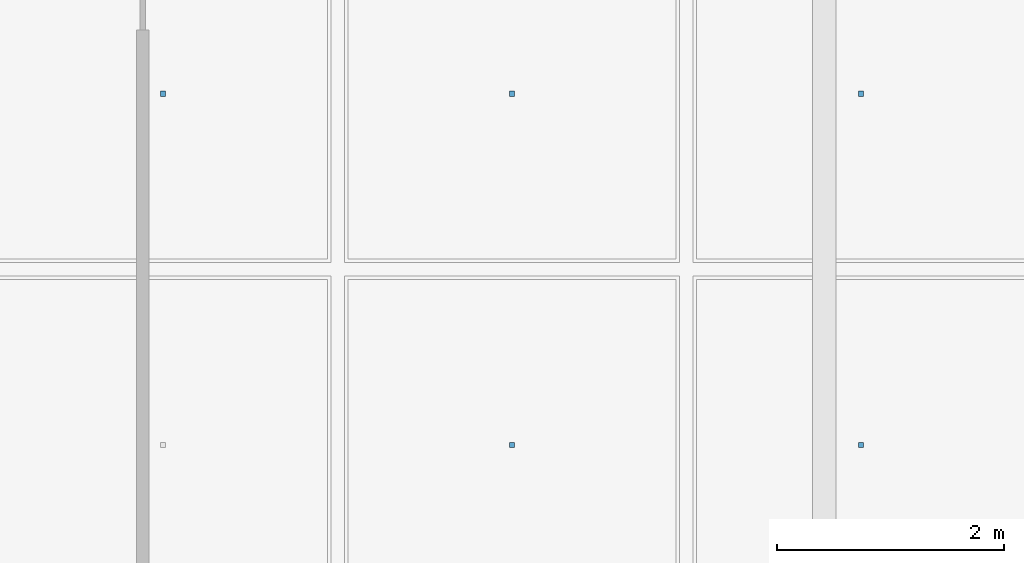
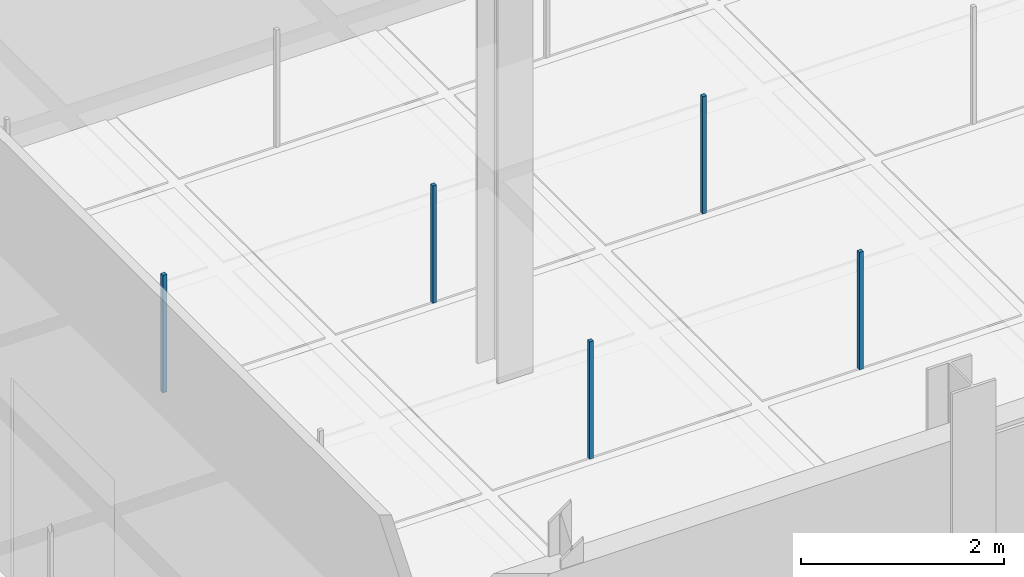
# One storey, part 108 of 180: 5 discrete accessories.
"""IFC4 building model written with IfcOpenShell, lengths in metres."""

from ifc_helpers import new_model, si_unit, direction, frame, origin, origin_2d, place, context, subcontext, project, spatial, rectangle, extrude, material, type_object, element, save


model = new_model("IFC4")

# Units and contexts
model_context = context("Model", 3, precision=1e-05, world=origin(), true_north=direction((0.0, 1.0)))
body_context = subcontext(model_context, "Body", "Model", "MODEL_VIEW")
ifc_project = project(units=[si_unit("LENGTHUNIT", "METRE"), si_unit("AREAUNIT", "SQUARE_METRE"), si_unit("VOLUMEUNIT", "CUBIC_METRE"), si_unit("PLANEANGLEUNIT", "RADIAN"), si_unit("MASSUNIT", "GRAM", prefix="KILO"), si_unit("THERMODYNAMICTEMPERATUREUNIT", "KELVIN"), si_unit("POWERUNIT", "WATT")], contexts=[model_context])

# Site, building, storey
site_placement = place(None, origin())
site = spatial("IfcSite", under=ifc_project, at=site_placement, CompositionType="ELEMENT")
building_placement = place(site_placement, origin())
building = spatial("IfcBuilding", under=site, at=building_placement, Name="Tallowbark Science Centre", CompositionType="ELEMENT")
storey_placement = place(building_placement, origin())
storey = spatial("IfcBuildingStorey", under=building, at=storey_placement, Name="L00", CompositionType="ELEMENT", Elevation=0.0)

# Discrete accessories
ifc_material = material(Name="Galvanised Steel Grade C350L0 (350 MPa)", Category="steel")
discrete_accessory_type = type_object("IfcDiscreteAccessoryType", Name="ACC-CLG-HNG", PredefinedType="BRACKET", material=ifc_material)
for number, where, z_axis, x_axis, name in (
    (1, (88.6787109375, 10.136474609375, 3.8095703125), (0.0, 0.0, 1.0), (1.0, 0.0, 0.0), "Ceiling Hanger Bracket L00-163"),
    (2, (91.75, 7.04541015625, 3.8095703125), (0.0, 0.0, 1.0), (1.0, 0.0, 0.0), "Ceiling Hanger Bracket L00-173"),
    (3, (91.75, 10.136474609375, 3.8095703125), (0.0, 0.0, 1.0), (1.0, 0.0, 0.0), "Ceiling Hanger Bracket L00-174"),
    (4, (94.8212890625, 7.04541015625, 3.8095703125), (0.0, 0.0, 1.0), (1.0, 0.0, 0.0), "Ceiling Hanger Bracket L00-180"),
    (5, (94.8212890625, 10.136474609375, 3.8095703125), (0.0, 0.0, 1.0), (1.0, 0.0, 0.0), "Ceiling Hanger Bracket L00-181"),
):
    element("IfcDiscreteAccessory", number, at=place(storey_placement, frame(where, z_axis=z_axis, x_axis=x_axis)), inside=storey, type_object=discrete_accessory_type, Name=name, PredefinedType="BRACKET", context=body_context, shape_type="SweptSolid", body=[
        extrude(rectangle(XDim=0.044921875, YDim=0.044921875, at=origin_2d()), origin(), (0.0, 0.0, 1.0), 1.41357421875),
    ])

save(model, "model.ifc")
